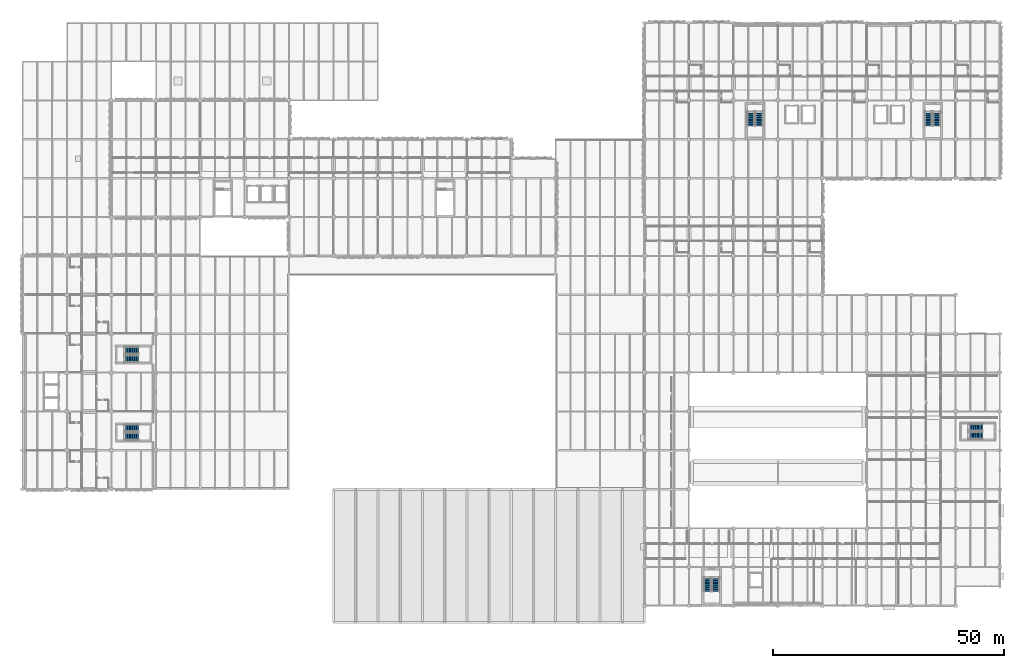
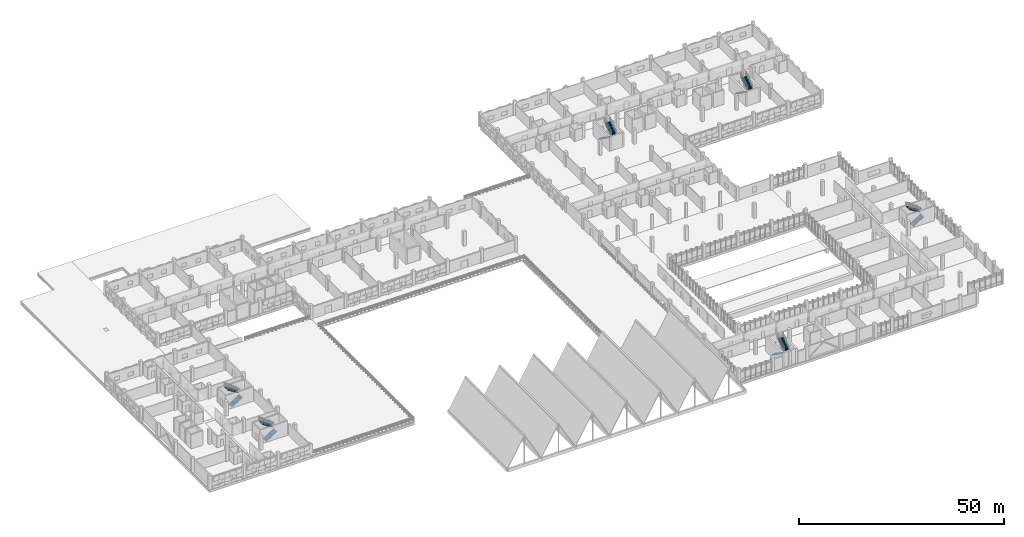
# One storey, part 68 of 86: 12 stair flights, 6 elements without a shape of their own.
"""IFC4 building model written with IfcOpenShell, lengths in metres."""

from ifc_helpers import new_model, si_unit, direction, frame, origin, place, context, subcontext, project, spatial, polyline, outline, extrude, material, type_object, element, aggregate, save


model = new_model("IFC4")

# Units and contexts
model_context = context("Model", 3, precision=1e-05, world=origin(), true_north=direction((0.0, 1.0)))
body_context = subcontext(model_context, "Body", "Model", "MODEL_VIEW")
ifc_project = project(units=[si_unit("LENGTHUNIT", "METRE"), si_unit("AREAUNIT", "SQUARE_METRE"), si_unit("VOLUMEUNIT", "CUBIC_METRE"), si_unit("PLANEANGLEUNIT", "RADIAN"), si_unit("MASSUNIT", "GRAM", prefix="KILO")], contexts=[model_context])

# Site, building, storey
site_placement = place(None, origin())
site = spatial("IfcSite", under=ifc_project, at=site_placement, CompositionType="ELEMENT")
building_placement = place(site_placement, origin())
building = spatial("IfcBuilding", under=site, at=building_placement, Name="Oolite Switchyard Hospital", CompositionType="ELEMENT")
storey_placement = place(building_placement, frame((0.0, 0.0, 13.5)))
storey = spatial("IfcBuildingStorey", under=building, at=storey_placement, Name="L03", CompositionType="ELEMENT", Elevation=13.5)

# Stair, stair flights
ifc_material = material(Name="Concrete C40/50", Category="concrete")
stair_type = type_object("IfcStairType", Name="STR-DL-156-R24", PredefinedType="HALF_TURN_STAIR", material=ifc_material)
stair_1_placement = place(storey_placement, origin())
stair_1 = element("IfcStair", 1, at=stair_1_placement, inside=storey, type_object=stair_type, Name="L03 Exit Stair ST-01", PredefinedType="HALF_TURN_STAIR")
stair_flight_type = type_object("IfcStairFlightType", Name="FLT-DL-156-R12", PredefinedType="STRAIGHT", material=ifc_material)
stair_flight_1_placement = place(storey_placement, frame((21.9599609375, 44.97998046875, 0.0), z_axis=(0.0, 0.0, 1.0), x_axis=(1.0, 0.0, 0.0)))
stair_flight_1 = element("IfcStairFlight", 2, at=stair_flight_1_placement, type_object=stair_flight_type, Name="ST-01 flight 1", NumberOfRisers=12, NumberOfTreads=11, PredefinedType="STRAIGHT", RiserHeight=0.179166667, TreadLength=0.28, context=body_context, shape_type="SweptSolid", body=[
    extrude(outline(polyline([(0.0, 0.0), (0.0, 0.17919921875), (0.280029296875, 0.17919921875), (0.280029296875, 0.3583984375), (0.56005859375, 0.3583984375), (0.56005859375, 0.53759765625), (0.840087890625, 0.53759765625), (0.840087890625, 0.716552734375), (1.1201171875, 0.716552734375), (1.1201171875, 0.895751953125), (1.39990234375, 0.895751953125), (1.39990234375, 1.074951171875), (1.679931640625, 1.074951171875), (1.679931640625, 1.254150390625), (1.9599609375, 1.254150390625), (1.9599609375, 1.433349609375), (2.239990234375, 1.433349609375), (2.239990234375, 1.612548828125), (2.52001953125, 1.612548828125), (2.52001953125, 1.791748046875), (2.800048828125, 1.791748046875), (2.800048828125, 1.970947265625), (3.080078125, 1.970947265625), (3.080078125, 2.14990234375), (3.080078125, 1.79296875), (0.278076171875, 0.0), (0.0, 0.0)])), frame((0.0, 0.780029296875, 0.0), z_axis=(0.0, -1.0, 0.0), x_axis=(1.0, 0.0, 0.0)), (0.0, 0.0, 1.0), 1.56005859375),
])
stair_flight_2_placement = place(storey_placement, frame((25.0400390625, 46.780029296875, 2.14990234375), z_axis=(0.0, 0.0, 1.0), x_axis=(-1.0, 0.0, 0.0)))
stair_flight_2 = element("IfcStairFlight", 3, at=stair_flight_2_placement, type_object=stair_flight_type, Name="ST-01 flight 2", NumberOfRisers=12, NumberOfTreads=11, PredefinedType="STRAIGHT", RiserHeight=0.179166667, TreadLength=0.28, context=body_context, shape_type="SweptSolid", body=[
    extrude(outline(polyline([(0.0, 0.0), (0.0, 0.17919921875), (0.280029296875, 0.17919921875), (0.280029296875, 0.3583984375), (0.56005859375, 0.3583984375), (0.56005859375, 0.53759765625), (0.840087890625, 0.53759765625), (0.840087890625, 0.716552734375), (1.1201171875, 0.716552734375), (1.1201171875, 0.895751953125), (1.39990234375, 0.895751953125), (1.39990234375, 1.074951171875), (1.679931640625, 1.074951171875), (1.679931640625, 1.254150390625), (1.9599609375, 1.254150390625), (1.9599609375, 1.433349609375), (2.239990234375, 1.433349609375), (2.239990234375, 1.612548828125), (2.52001953125, 1.612548828125), (2.52001953125, 1.791748046875), (2.800048828125, 1.791748046875), (2.800048828125, 1.970947265625), (3.080078125, 1.970947265625), (3.080078125, 2.14990234375), (3.080078125, 1.79296875), (0.278076171875, 0.0), (0.0, 0.0)])), frame((0.0, 0.780029296875, 0.0), z_axis=(0.0, -1.0, 0.0), x_axis=(1.0, 0.0, 0.0)), (0.0, 0.0, 1.0), 1.56005859375),
])
aggregate(stair_1, [stair_flight_1, stair_flight_2])

stair_2_placement = place(storey_placement, origin())
stair_2 = element("IfcStair", 4, at=stair_2_placement, inside=storey, type_object=stair_type, Name="L03 Exit Stair ST-02", PredefinedType="HALF_TURN_STAIR")
stair_flight_3_placement = place(storey_placement, frame((21.9599609375, 61.780029296875, 0.0), z_axis=(0.0, 0.0, 1.0), x_axis=(1.0, 0.0, 0.0)))
stair_flight_3 = element("IfcStairFlight", 5, at=stair_flight_3_placement, type_object=stair_flight_type, Name="ST-02 flight 1", NumberOfRisers=12, NumberOfTreads=11, PredefinedType="STRAIGHT", RiserHeight=0.179166667, TreadLength=0.28, context=body_context, shape_type="SweptSolid", body=[
    extrude(outline(polyline([(0.0, 0.0), (0.0, 0.17919921875), (0.280029296875, 0.17919921875), (0.280029296875, 0.3583984375), (0.56005859375, 0.3583984375), (0.56005859375, 0.53759765625), (0.840087890625, 0.53759765625), (0.840087890625, 0.716552734375), (1.1201171875, 0.716552734375), (1.1201171875, 0.895751953125), (1.39990234375, 0.895751953125), (1.39990234375, 1.074951171875), (1.679931640625, 1.074951171875), (1.679931640625, 1.254150390625), (1.9599609375, 1.254150390625), (1.9599609375, 1.433349609375), (2.239990234375, 1.433349609375), (2.239990234375, 1.612548828125), (2.52001953125, 1.612548828125), (2.52001953125, 1.791748046875), (2.800048828125, 1.791748046875), (2.800048828125, 1.970947265625), (3.080078125, 1.970947265625), (3.080078125, 2.14990234375), (3.080078125, 1.79296875), (0.278076171875, 0.0), (0.0, 0.0)])), frame((0.0, 0.780029296875, 0.0), z_axis=(0.0, -1.0, 0.0), x_axis=(1.0, 0.0, 0.0)), (0.0, 0.0, 1.0), 1.56005859375),
])
stair_flight_4_placement = place(storey_placement, frame((25.0400390625, 63.580078125, 2.14990234375), z_axis=(0.0, 0.0, 1.0), x_axis=(-1.0, 0.0, 0.0)))
stair_flight_4 = element("IfcStairFlight", 6, at=stair_flight_4_placement, type_object=stair_flight_type, Name="ST-02 flight 2", NumberOfRisers=12, NumberOfTreads=11, PredefinedType="STRAIGHT", RiserHeight=0.179166667, TreadLength=0.28, context=body_context, shape_type="SweptSolid", body=[
    extrude(outline(polyline([(0.0, 0.0), (0.0, 0.17919921875), (0.280029296875, 0.17919921875), (0.280029296875, 0.3583984375), (0.56005859375, 0.3583984375), (0.56005859375, 0.53759765625), (0.840087890625, 0.53759765625), (0.840087890625, 0.716552734375), (1.1201171875, 0.716552734375), (1.1201171875, 0.895751953125), (1.39990234375, 0.895751953125), (1.39990234375, 1.074951171875), (1.679931640625, 1.074951171875), (1.679931640625, 1.254150390625), (1.9599609375, 1.254150390625), (1.9599609375, 1.433349609375), (2.239990234375, 1.433349609375), (2.239990234375, 1.612548828125), (2.52001953125, 1.612548828125), (2.52001953125, 1.791748046875), (2.800048828125, 1.791748046875), (2.800048828125, 1.970947265625), (3.080078125, 1.970947265625), (3.080078125, 2.14990234375), (3.080078125, 1.79296875), (0.278076171875, 0.0), (0.0, 0.0)])), frame((0.0, 0.780029296875, 0.0), z_axis=(0.0, -1.0, 0.0), x_axis=(1.0, 0.0, 0.0)), (0.0, 0.0, 1.0), 1.56005859375),
])
aggregate(stair_2, [stair_flight_3, stair_flight_4])

stair_3_placement = place(storey_placement, origin())
stair_3 = element("IfcStair", 7, at=stair_3_placement, inside=storey, type_object=stair_type, Name="L03 Exit Stair ST-03", PredefinedType="HALF_TURN_STAIR")
stair_flight_5_placement = place(storey_placement, frame((157.3798828125, 115.18994140625, 0.0), z_axis=(0.0, 0.0, 1.0), x_axis=(0.0, -1.0, 0.0)))
stair_flight_5 = element("IfcStairFlight", 8, at=stair_flight_5_placement, type_object=stair_flight_type, Name="ST-03 flight 1", NumberOfRisers=12, NumberOfTreads=11, PredefinedType="STRAIGHT", RiserHeight=0.179166667, TreadLength=0.28, context=body_context, shape_type="SweptSolid", body=[
    extrude(outline(polyline([(0.0, 0.0), (0.0, 0.17919921875), (0.280029296875, 0.17919921875), (0.280029296875, 0.3583984375), (0.56005859375, 0.3583984375), (0.56005859375, 0.53759765625), (0.840087890625, 0.53759765625), (0.840087890625, 0.716552734375), (1.1201171875, 0.716552734375), (1.1201171875, 0.895751953125), (1.39990234375, 0.895751953125), (1.39990234375, 1.074951171875), (1.679931640625, 1.074951171875), (1.679931640625, 1.254150390625), (1.9599609375, 1.254150390625), (1.9599609375, 1.433349609375), (2.239990234375, 1.433349609375), (2.239990234375, 1.612548828125), (2.52001953125, 1.612548828125), (2.52001953125, 1.791748046875), (2.800048828125, 1.791748046875), (2.800048828125, 1.970947265625), (3.080078125, 1.970947265625), (3.080078125, 2.14990234375), (3.080078125, 1.79296875), (0.278076171875, 0.0), (0.0, 0.0)])), frame((0.0, 0.780029296875, 0.0), z_axis=(0.0, -1.0, 0.0), x_axis=(1.0, 0.0, 0.0)), (0.0, 0.0, 1.0), 1.56005859375),
])
stair_flight_6_placement = place(storey_placement, frame((159.179931640625, 112.110107421875, 2.14990234375), z_axis=(0.0, 0.0, 1.0), x_axis=(0.0, 1.0, 0.0)))
stair_flight_6 = element("IfcStairFlight", 9, at=stair_flight_6_placement, type_object=stair_flight_type, Name="ST-03 flight 2", NumberOfRisers=12, NumberOfTreads=11, PredefinedType="STRAIGHT", RiserHeight=0.179166667, TreadLength=0.28, context=body_context, shape_type="SweptSolid", body=[
    extrude(outline(polyline([(0.0, 0.0), (0.0, 0.17919921875), (0.280029296875, 0.17919921875), (0.280029296875, 0.3583984375), (0.56005859375, 0.3583984375), (0.56005859375, 0.53759765625), (0.840087890625, 0.53759765625), (0.840087890625, 0.716552734375), (1.1201171875, 0.716552734375), (1.1201171875, 0.895751953125), (1.39990234375, 0.895751953125), (1.39990234375, 1.074951171875), (1.679931640625, 1.074951171875), (1.679931640625, 1.254150390625), (1.9599609375, 1.254150390625), (1.9599609375, 1.433349609375), (2.239990234375, 1.433349609375), (2.239990234375, 1.612548828125), (2.52001953125, 1.612548828125), (2.52001953125, 1.791748046875), (2.800048828125, 1.791748046875), (2.800048828125, 1.970947265625), (3.080078125, 1.970947265625), (3.080078125, 2.14990234375), (3.080078125, 1.79296875), (0.278076171875, 0.0), (0.0, 0.0)])), frame((0.0, 0.780029296875, 0.0), z_axis=(0.0, -1.0, 0.0), x_axis=(1.0, 0.0, 0.0)), (0.0, 0.0, 1.0), 1.56005859375),
])
aggregate(stair_3, [stair_flight_5, stair_flight_6])

stair_4_placement = place(storey_placement, origin())
stair_4 = element("IfcStair", 10, at=stair_4_placement, inside=storey, type_object=stair_type, Name="L03 Exit Stair ST-04", PredefinedType="HALF_TURN_STAIR")
stair_flight_7_placement = place(storey_placement, frame((195.780029296875, 115.18994140625, 0.0), z_axis=(0.0, 0.0, 1.0), x_axis=(0.0, -1.0, 0.0)))
stair_flight_7 = element("IfcStairFlight", 11, at=stair_flight_7_placement, type_object=stair_flight_type, Name="ST-04 flight 1", NumberOfRisers=12, NumberOfTreads=11, PredefinedType="STRAIGHT", RiserHeight=0.179166667, TreadLength=0.28, context=body_context, shape_type="SweptSolid", body=[
    extrude(outline(polyline([(0.0, 0.0), (0.0, 0.17919921875), (0.280029296875, 0.17919921875), (0.280029296875, 0.3583984375), (0.56005859375, 0.3583984375), (0.56005859375, 0.53759765625), (0.840087890625, 0.53759765625), (0.840087890625, 0.716552734375), (1.1201171875, 0.716552734375), (1.1201171875, 0.895751953125), (1.39990234375, 0.895751953125), (1.39990234375, 1.074951171875), (1.679931640625, 1.074951171875), (1.679931640625, 1.254150390625), (1.9599609375, 1.254150390625), (1.9599609375, 1.433349609375), (2.239990234375, 1.433349609375), (2.239990234375, 1.612548828125), (2.52001953125, 1.612548828125), (2.52001953125, 1.791748046875), (2.800048828125, 1.791748046875), (2.800048828125, 1.970947265625), (3.080078125, 1.970947265625), (3.080078125, 2.14990234375), (3.080078125, 1.79296875), (0.278076171875, 0.0), (0.0, 0.0)])), frame((0.0, 0.780029296875, 0.0), z_axis=(0.0, -1.0, 0.0), x_axis=(1.0, 0.0, 0.0)), (0.0, 0.0, 1.0), 1.56005859375),
])
stair_flight_8_placement = place(storey_placement, frame((197.580078125, 112.110107421875, 2.14990234375), z_axis=(0.0, 0.0, 1.0), x_axis=(0.0, 1.0, 0.0)))
stair_flight_8 = element("IfcStairFlight", 12, at=stair_flight_8_placement, type_object=stair_flight_type, Name="ST-04 flight 2", NumberOfRisers=12, NumberOfTreads=11, PredefinedType="STRAIGHT", RiserHeight=0.179166667, TreadLength=0.28, context=body_context, shape_type="SweptSolid", body=[
    extrude(outline(polyline([(0.0, 0.0), (0.0, 0.17919921875), (0.280029296875, 0.17919921875), (0.280029296875, 0.3583984375), (0.56005859375, 0.3583984375), (0.56005859375, 0.53759765625), (0.840087890625, 0.53759765625), (0.840087890625, 0.716552734375), (1.1201171875, 0.716552734375), (1.1201171875, 0.895751953125), (1.39990234375, 0.895751953125), (1.39990234375, 1.074951171875), (1.679931640625, 1.074951171875), (1.679931640625, 1.254150390625), (1.9599609375, 1.254150390625), (1.9599609375, 1.433349609375), (2.239990234375, 1.433349609375), (2.239990234375, 1.612548828125), (2.52001953125, 1.612548828125), (2.52001953125, 1.791748046875), (2.800048828125, 1.791748046875), (2.800048828125, 1.970947265625), (3.080078125, 1.970947265625), (3.080078125, 2.14990234375), (3.080078125, 1.79296875), (0.278076171875, 0.0), (0.0, 0.0)])), frame((0.0, 0.780029296875, 0.0), z_axis=(0.0, -1.0, 0.0), x_axis=(1.0, 0.0, 0.0)), (0.0, 0.0, 1.0), 1.56005859375),
])
aggregate(stair_4, [stair_flight_7, stair_flight_8])

stair_5_placement = place(storey_placement, origin())
stair_5 = element("IfcStair", 13, at=stair_5_placement, inside=storey, type_object=stair_type, Name="L03 Exit Stair ST-05", PredefinedType="HALF_TURN_STAIR")
stair_flight_9_placement = place(storey_placement, frame((147.97998046875, 14.590087890625, 0.0), z_axis=(0.0, 0.0, 1.0), x_axis=(0.0, -1.0, 0.0)))
stair_flight_9 = element("IfcStairFlight", 14, at=stair_flight_9_placement, type_object=stair_flight_type, Name="ST-05 flight 1", NumberOfRisers=12, NumberOfTreads=11, PredefinedType="STRAIGHT", RiserHeight=0.179166667, TreadLength=0.28, context=body_context, shape_type="SweptSolid", body=[
    extrude(outline(polyline([(0.0, 0.0), (0.0, 0.17919921875), (0.280029296875, 0.17919921875), (0.280029296875, 0.3583984375), (0.56005859375, 0.3583984375), (0.56005859375, 0.53759765625), (0.840087890625, 0.53759765625), (0.840087890625, 0.716552734375), (1.1201171875, 0.716552734375), (1.1201171875, 0.895751953125), (1.39990234375, 0.895751953125), (1.39990234375, 1.074951171875), (1.679931640625, 1.074951171875), (1.679931640625, 1.254150390625), (1.9599609375, 1.254150390625), (1.9599609375, 1.433349609375), (2.239990234375, 1.433349609375), (2.239990234375, 1.612548828125), (2.52001953125, 1.612548828125), (2.52001953125, 1.791748046875), (2.800048828125, 1.791748046875), (2.800048828125, 1.970947265625), (3.080078125, 1.970947265625), (3.080078125, 2.14990234375), (3.080078125, 1.79296875), (0.278076171875, 0.0), (0.0, 0.0)])), frame((0.0, 0.780029296875, 0.0), z_axis=(0.0, -1.0, 0.0), x_axis=(1.0, 0.0, 0.0)), (0.0, 0.0, 1.0), 1.56005859375),
])
stair_flight_10_placement = place(storey_placement, frame((149.780029296875, 11.510009765625, 2.14990234375), z_axis=(0.0, 0.0, 1.0), x_axis=(0.0, 1.0, 0.0)))
stair_flight_10 = element("IfcStairFlight", 15, at=stair_flight_10_placement, type_object=stair_flight_type, Name="ST-05 flight 2", NumberOfRisers=12, NumberOfTreads=11, PredefinedType="STRAIGHT", RiserHeight=0.179166667, TreadLength=0.28, context=body_context, shape_type="SweptSolid", body=[
    extrude(outline(polyline([(0.0, 0.0), (0.0, 0.17919921875), (0.280029296875, 0.17919921875), (0.280029296875, 0.3583984375), (0.56005859375, 0.3583984375), (0.56005859375, 0.53759765625), (0.840087890625, 0.53759765625), (0.840087890625, 0.716552734375), (1.1201171875, 0.716552734375), (1.1201171875, 0.895751953125), (1.39990234375, 0.895751953125), (1.39990234375, 1.074951171875), (1.679931640625, 1.074951171875), (1.679931640625, 1.254150390625), (1.9599609375, 1.254150390625), (1.9599609375, 1.433349609375), (2.239990234375, 1.433349609375), (2.239990234375, 1.612548828125), (2.52001953125, 1.612548828125), (2.52001953125, 1.791748046875), (2.800048828125, 1.791748046875), (2.800048828125, 1.970947265625), (3.080078125, 1.970947265625), (3.080078125, 2.14990234375), (3.080078125, 1.79296875), (0.278076171875, 0.0), (0.0, 0.0)])), frame((0.0, 0.780029296875, 0.0), z_axis=(0.0, -1.0, 0.0), x_axis=(1.0, 0.0, 0.0)), (0.0, 0.0, 1.0), 1.56005859375),
])
aggregate(stair_5, [stair_flight_9, stair_flight_10])

stair_6_placement = place(storey_placement, origin())
stair_6 = element("IfcStair", 16, at=stair_6_placement, inside=storey, type_object=stair_type, Name="L03 Exit Stair ST-06", PredefinedType="HALF_TURN_STAIR")
stair_flight_11_placement = place(storey_placement, frame((204.360107421875, 45.179931640625, 0.0), z_axis=(0.0, 0.0, 1.0), x_axis=(1.0, 0.0, 0.0)))
stair_flight_11 = element("IfcStairFlight", 17, at=stair_flight_11_placement, type_object=stair_flight_type, Name="ST-06 flight 1", NumberOfRisers=12, NumberOfTreads=11, PredefinedType="STRAIGHT", RiserHeight=0.179166667, TreadLength=0.28, context=body_context, shape_type="SweptSolid", body=[
    extrude(outline(polyline([(0.0, 0.0), (0.0, 0.17919921875), (0.280029296875, 0.17919921875), (0.280029296875, 0.3583984375), (0.56005859375, 0.3583984375), (0.56005859375, 0.53759765625), (0.840087890625, 0.53759765625), (0.840087890625, 0.716552734375), (1.1201171875, 0.716552734375), (1.1201171875, 0.895751953125), (1.39990234375, 0.895751953125), (1.39990234375, 1.074951171875), (1.679931640625, 1.074951171875), (1.679931640625, 1.254150390625), (1.9599609375, 1.254150390625), (1.9599609375, 1.433349609375), (2.239990234375, 1.433349609375), (2.239990234375, 1.612548828125), (2.52001953125, 1.612548828125), (2.52001953125, 1.791748046875), (2.800048828125, 1.791748046875), (2.800048828125, 1.970947265625), (3.080078125, 1.970947265625), (3.080078125, 2.14990234375), (3.080078125, 1.79296875), (0.278076171875, 0.0), (0.0, 0.0)])), frame((0.0, 0.780029296875, 0.0), z_axis=(0.0, -1.0, 0.0), x_axis=(1.0, 0.0, 0.0)), (0.0, 0.0, 1.0), 1.56005859375),
])
stair_flight_12_placement = place(storey_placement, frame((207.43994140625, 46.97998046875, 2.14990234375), z_axis=(0.0, 0.0, 1.0), x_axis=(-1.0, 0.0, 0.0)))
stair_flight_12 = element("IfcStairFlight", 18, at=stair_flight_12_placement, type_object=stair_flight_type, Name="ST-06 flight 2", NumberOfRisers=12, NumberOfTreads=11, PredefinedType="STRAIGHT", RiserHeight=0.179166667, TreadLength=0.28, context=body_context, shape_type="SweptSolid", body=[
    extrude(outline(polyline([(0.0, 0.0), (0.0, 0.17919921875), (0.280029296875, 0.17919921875), (0.280029296875, 0.3583984375), (0.56005859375, 0.3583984375), (0.56005859375, 0.53759765625), (0.840087890625, 0.53759765625), (0.840087890625, 0.716552734375), (1.1201171875, 0.716552734375), (1.1201171875, 0.895751953125), (1.39990234375, 0.895751953125), (1.39990234375, 1.074951171875), (1.679931640625, 1.074951171875), (1.679931640625, 1.254150390625), (1.9599609375, 1.254150390625), (1.9599609375, 1.433349609375), (2.239990234375, 1.433349609375), (2.239990234375, 1.612548828125), (2.52001953125, 1.612548828125), (2.52001953125, 1.791748046875), (2.800048828125, 1.791748046875), (2.800048828125, 1.970947265625), (3.080078125, 1.970947265625), (3.080078125, 2.14990234375), (3.080078125, 1.79296875), (0.278076171875, 0.0), (0.0, 0.0)])), frame((0.0, 0.780029296875, 0.0), z_axis=(0.0, -1.0, 0.0), x_axis=(1.0, 0.0, 0.0)), (0.0, 0.0, 1.0), 1.56005859375),
])
aggregate(stair_6, [stair_flight_11, stair_flight_12])

save(model, "model.ifc")
